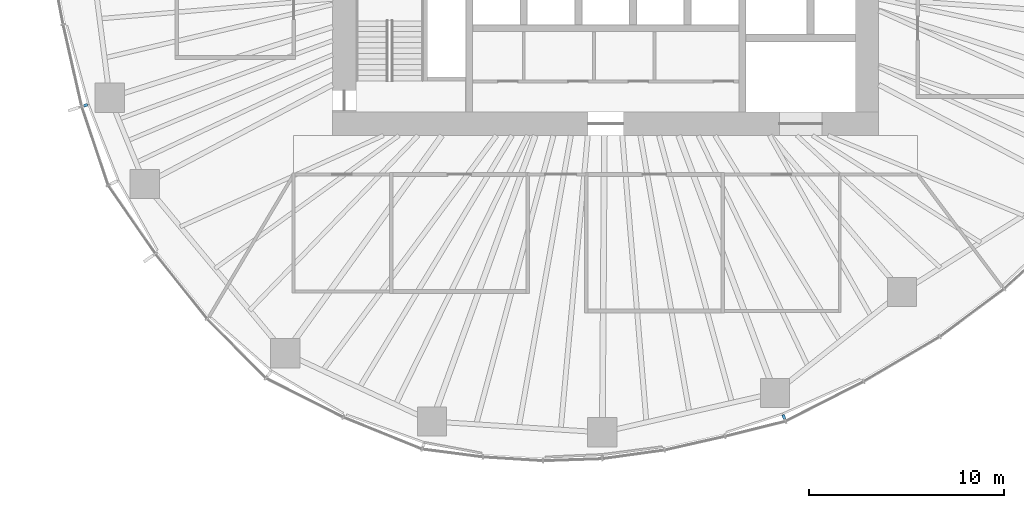
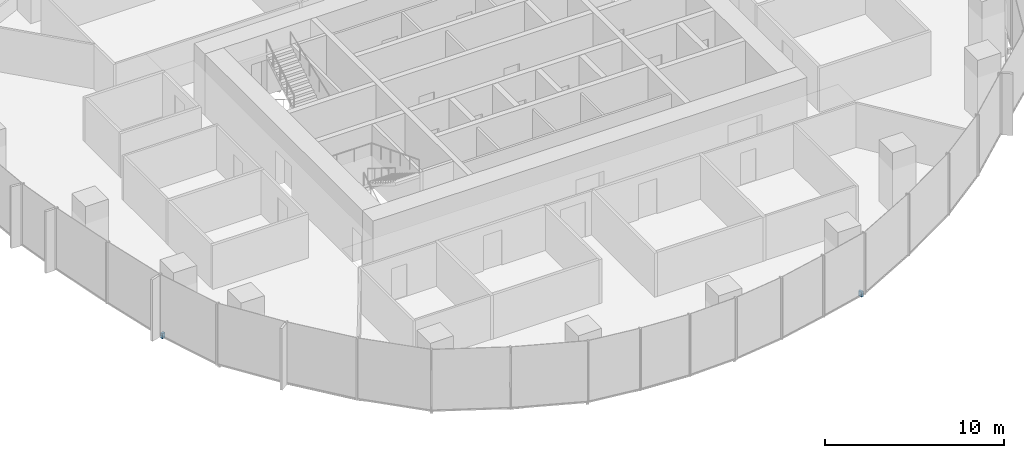
# One storey, part 13 of 18: 2 discrete accessories.
"""IFC4 building model written with IfcOpenShell, lengths in metres."""

import ifcopenshell
import ifcopenshell.guid

model = None  # the IFC model being written
_history = None  # IfcOwnerHistory: only IFC2X3 demands one
_inside = {}  # id of a spatial element -> (the spatial element, [elements in it])
_under = {}  # id of a project, library or spatial element -> (it, [spatial elements below it])
_declared = {}  # id of a project -> (the project, [libraries it declares])
_typed = {}  # id of a type object -> (the type object, [elements of that type])
_made_of = {}  # id of a material, layer set ... -> (it, [elements and type objects made of it])


def new_model(schema):
    """Start an empty IFC model of exactly this schema.

    Asked for "IFC4X3", IfcOpenShell would pick the latest addendum, in which some entities
    have other attributes; the version numbers below select the first issue.
    IFC2X3 requires an IfcOwnerHistory on every rooted entity: one is made here for all.
    """
    global model, _history
    if schema == "IFC4X3":
        model = ifcopenshell.file(schema_version=(4, 3, 0, 0))
    else:
        model = ifcopenshell.file(schema=schema)
    _inside.clear()
    _under.clear()
    _declared.clear()
    _typed.clear()
    _made_of.clear()
    _history = None
    if model.schema == "IFC2X3":
        org = make("IfcOrganization", Name="unknown")
        user = make(
            "IfcPersonAndOrganization",
            ThePerson=make("IfcPerson", FamilyName="unknown"),
            TheOrganization=org,
        )
        app = make(
            "IfcApplication",
            ApplicationDeveloper=org,
            Version="unknown",
            ApplicationFullName="unknown",
            ApplicationIdentifier="unknown",
        )
        _history = make(
            "IfcOwnerHistory",
            OwningUser=user,
            OwningApplication=app,
            ChangeAction="ADDED",
            CreationDate=0,
        )
    return model


def make(cls, **values):
    """One entity of the class cls with the attributes given. An attribute that is None is left unset."""
    return model.create_entity(
        cls, **{name: value for name, value in values.items() if value is not None}
    )


def rooted(cls, **values):
    """An entity with a GlobalId (a new one), such as an element, a storey or a relation."""
    return make(cls, GlobalId=ifcopenshell.guid.new(), OwnerHistory=_history, **values)


def si_unit(unit_type, name, prefix=None):
    """IfcSIUnit, for example si_unit("LENGTHUNIT", "METRE", prefix="MILLI")."""
    return make("IfcSIUnit", UnitType=unit_type, Prefix=prefix, Name=name)


def assignment(units):
    """IfcUnitAssignment: the units of a project."""
    return None if units is None else make("IfcUnitAssignment", Units=units)


def point(xyz):
    """IfcCartesianPoint."""
    return None if xyz is None else make("IfcCartesianPoint", Coordinates=xyz)


def direction(xyz):
    """IfcDirection."""
    return None if xyz is None else make("IfcDirection", DirectionRatios=xyz)


def frame(location, z_axis=None, x_axis=None):
    """IfcAxis2Placement3D, a coordinate frame: its origin and axes. An axis left out is left unset."""
    return make(
        "IfcAxis2Placement3D",
        Location=point(location),
        Axis=direction(z_axis),
        RefDirection=direction(x_axis),
    )


def frame_2d(location, x_axis=None):
    """IfcAxis2Placement2D, a coordinate frame in the plane: its origin and x axis."""
    return make(
        "IfcAxis2Placement2D", Location=point(location), RefDirection=direction(x_axis)
    )


def origin():
    """The frame at (0, 0, 0) with its axes left unset."""
    return frame((0.0, 0.0, 0.0))


def origin_2d():
    """The frame at (0, 0) in the plane with its x axis left unset."""
    return frame_2d((0.0, 0.0))


def place(relative_to, where):
    """IfcLocalPlacement: puts the frame where relative to a parent placement (None: the world)."""
    return make(
        "IfcLocalPlacement", PlacementRelTo=relative_to, RelativePlacement=where
    )


def context(
    kind, dimensions, precision=None, world=None, true_north=None, identifier=None
):
    """IfcGeometricRepresentationContext, for example the 3D "Model" context."""
    return make(
        "IfcGeometricRepresentationContext",
        ContextIdentifier=identifier,
        ContextType=kind,
        CoordinateSpaceDimension=dimensions,
        Precision=precision,
        WorldCoordinateSystem=world,
        TrueNorth=true_north,
    )


def subcontext(parent, identifier, kind, view, scale=None):
    """IfcGeometricRepresentationSubContext, for example "Body" below "Model"."""
    return make(
        "IfcGeometricRepresentationSubContext",
        ContextIdentifier=identifier,
        ContextType=kind,
        ParentContext=parent,
        TargetScale=scale,
        TargetView=view,
    )


def project(units=None, contexts=None):
    """IfcProject with its units and contexts."""
    return rooted(
        "IfcProject",
        Name="project",
        RepresentationContexts=contexts,
        UnitsInContext=assignment(units),
    )


def spatial(cls, under=None, at=None, **own):
    """A site, building, storey or space (cls), placed at a placement, below another one or the project."""
    s = rooted(cls, ObjectPlacement=at, **own)
    if under is not None:
        _under.setdefault(under.id(), (under, []))[1].append(s)
    return s


def profile(cls, at=None, kind="AREA", **sizes):
    """A parametric profile (cls). Its sizes go by their IFC names, for example OverallWidth=200.0."""
    return make(cls, ProfileType=kind, Position=at, **sizes)


def rectangle(**sizes):
    """IfcRectangleProfileDef."""
    return profile("IfcRectangleProfileDef", **sizes)


def extrude(swept, where, along, depth):
    """IfcExtrudedAreaSolid: the profile swept, set in the frame where, extruded along a direction by depth."""
    return make(
        "IfcExtrudedAreaSolid",
        SweptArea=swept,
        Position=where,
        ExtrudedDirection=direction(along),
        Depth=depth,
    )


def shape(context_of_items, identifier, shape_type, items):
    """IfcShapeRepresentation: the items that make up one representation, for example the "Body"."""
    return make(
        "IfcShapeRepresentation",
        ContextOfItems=context_of_items,
        RepresentationIdentifier=identifier,
        RepresentationType=shape_type,
        Items=items,
    )


def material(Name=None, Category=None):
    """IfcMaterial."""
    return make("IfcMaterial", Name=Name, Category=Category)


def made_of(thing, what):
    """Note that an element or type object is made of a material, layer set ...; save() writes the relation."""
    if what is not None:
        _made_of.setdefault(what.id(), (what, []))[1].append(thing)
    return thing


def type_object(cls, material=None, **own):
    """A type object (cls), such as IfcWallType, which elements share."""
    return made_of(rooted(cls, **own), material)


def element(
    cls,
    number,
    at=None,
    inside=None,
    cuts=None,
    type_object=None,
    material=None,
    context=None,
    identifier="Body",
    shape_type=None,
    held_by="IfcProductDefinitionShape",
    body=None,
    shapes=None,
    **own,
):
    """One element of the class cls, such as IfcWall. Its Tag is "e" and its number.

    at: its placement. inside: the storey or other place that contains it. cuts: it is an
    opening in that element (IfcRelVoidsElement). A single representation is given by context,
    identifier, shape_type and body (its items); several are given by shapes. held_by: the class
    of the entity that holds the representations. save() writes the other relations.
    """
    e = rooted(cls, Tag="e%d" % number, ObjectPlacement=at, **own)
    if body is not None:
        shapes = [shape(context, identifier, shape_type, body)]
    if shapes is not None:
        e.Representation = make(held_by, Representations=shapes)
    if inside is not None:
        _inside.setdefault(inside.id(), (inside, []))[1].append(e)
    if cuts is not None:
        rooted(
            "IfcRelVoidsElement", RelatingBuildingElement=cuts, RelatedOpeningElement=e
        )
    if type_object is not None:
        _typed.setdefault(type_object.id(), (type_object, []))[1].append(e)
    return made_of(e, material)


def aggregate(whole, parts):
    """IfcRelAggregates: a whole, such as a stair, and the parts it consists of."""
    return rooted("IfcRelAggregates", RelatingObject=whole, RelatedObjects=parts)


def save(model, path):
    """Write the relations noted so far, then the file.

    IfcRelAggregates (storeys below a building ...), IfcRelContainedInSpatialStructure (elements
    in a storey), IfcRelDefinesByType, IfcRelAssociatesMaterial and IfcRelDeclares: one each for
    every whole, place, type object, material and project.
    """
    for whole, parts in _under.values():
        aggregate(whole, parts)
    for where, things in _inside.values():
        rooted(
            "IfcRelContainedInSpatialStructure",
            RelatedElements=things,
            RelatingStructure=where,
        )
    for kind, things in _typed.values():
        rooted("IfcRelDefinesByType", RelatedObjects=things, RelatingType=kind)
    for what, things in _made_of.values():
        rooted("IfcRelAssociatesMaterial", RelatedObjects=things, RelatingMaterial=what)
    for by, libraries in _declared.values():
        rooted("IfcRelDeclares", RelatingContext=by, RelatedDefinitions=libraries)
    model.write(path)


model = new_model("IFC4")

# Units and contexts
model_context = context("Model", 3, precision=1e-05, world=origin(), true_north=direction((0.0, 1.0)))
body_context = subcontext(model_context, "Body", "Model", "MODEL_VIEW")
ifc_project = project(units=[si_unit("LENGTHUNIT", "METRE"), si_unit("AREAUNIT", "SQUARE_METRE"), si_unit("VOLUMEUNIT", "CUBIC_METRE"), si_unit("PLANEANGLEUNIT", "RADIAN"), si_unit("MASSUNIT", "GRAM", prefix="KILO")], contexts=[model_context])

# Site, building, storey
site_placement = place(None, origin())
site = spatial("IfcSite", under=ifc_project, at=site_placement, CompositionType="ELEMENT")
building_placement = place(site_placement, origin())
building = spatial("IfcBuilding", under=site, at=building_placement, Name="Ghaith Harvest Tower", CompositionType="ELEMENT")
storey_placement = place(building_placement, frame((0.0, 0.0, 117.60009765625)))
storey = spatial("IfcBuildingStorey", under=building, at=storey_placement, Name="L24", CompositionType="ELEMENT", Elevation=117.60009765625)

# Discrete accessories
ifc_material_1 = material(Name="Stainless steel grade 1.4401", Category="steel")
discrete_accessory_type_1 = type_object("IfcDiscreteAccessoryType", Name="CURTAIN WALL BRACKET 205", PredefinedType="BRACKET", material=ifc_material_1)
discrete_accessory_1_placement = place(storey_placement, frame((-26.673095703125, -8.453125, -0.250244140625), z_axis=(0.0, 0.0, 1.0), x_axis=(-0.953273219416, -0.302109531701, 0.0)))
element("IfcDiscreteAccessory", 1, at=discrete_accessory_1_placement, inside=storey, type_object=discrete_accessory_type_1, Name="CW-L bracket 1 bay 12 L24", PredefinedType="BRACKET", context=body_context, shape_type="SweptSolid", body=[
    extrude(rectangle(XDim=0.205078125, YDim=0.14990234375, at=origin_2d()), origin(), (0.0, 0.0, 1.0), 0.35009765625),
])
ifc_material_2 = material(Name="Stainless steel grade 1.4401", Category="steel")
discrete_accessory_type_2 = type_object("IfcDiscreteAccessoryType", Name="CURTAIN WALL BRACKET 245", PredefinedType="BRACKET", material=ifc_material_2)
discrete_accessory_2_placement = place(storey_placement, frame((9.135498046875, -24.436767578125, -0.250244140625), z_axis=(0.0, 0.0, 1.0), x_axis=(0.35016769691, -0.93668702566, 0.0)))
element("IfcDiscreteAccessory", 2, at=discrete_accessory_2_placement, inside=storey, type_object=discrete_accessory_type_2, Name="CW-L bracket 1 bay 17 L24", PredefinedType="BRACKET", context=body_context, shape_type="SweptSolid", body=[
    extrude(rectangle(XDim=0.2451171875, YDim=0.14990234375, at=origin_2d()), origin(), (0.0, 0.0, 1.0), 0.35009765625),
])

save(model, "model.ifc")
